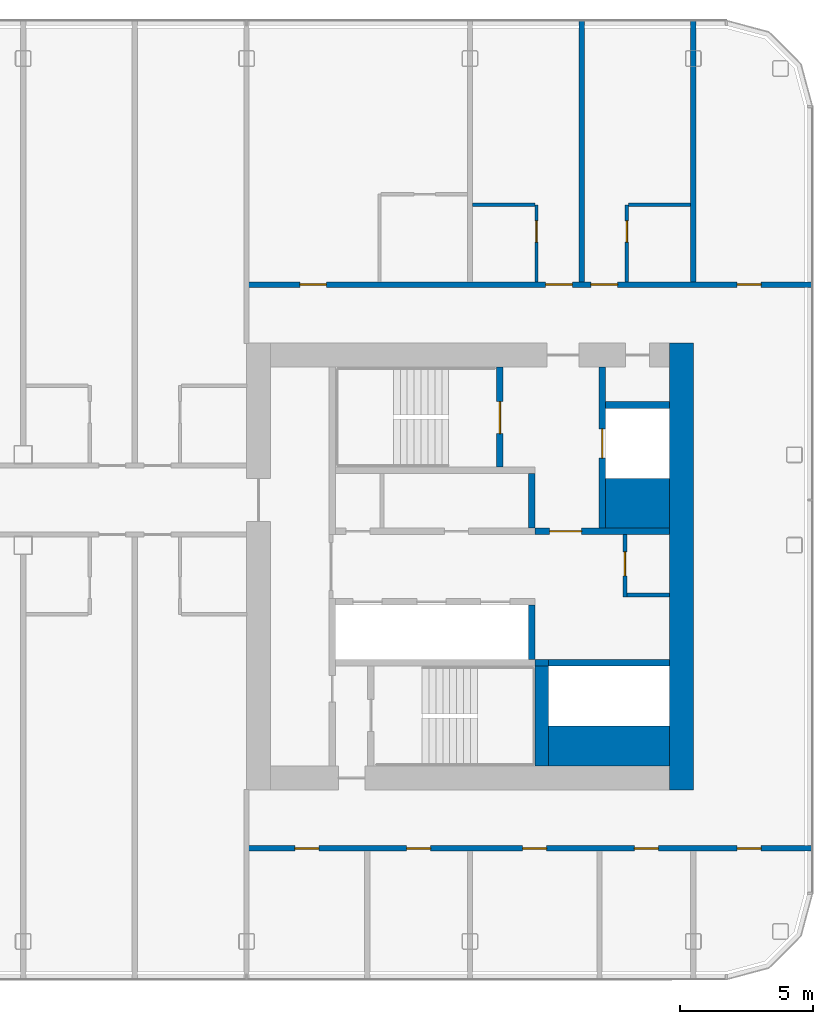
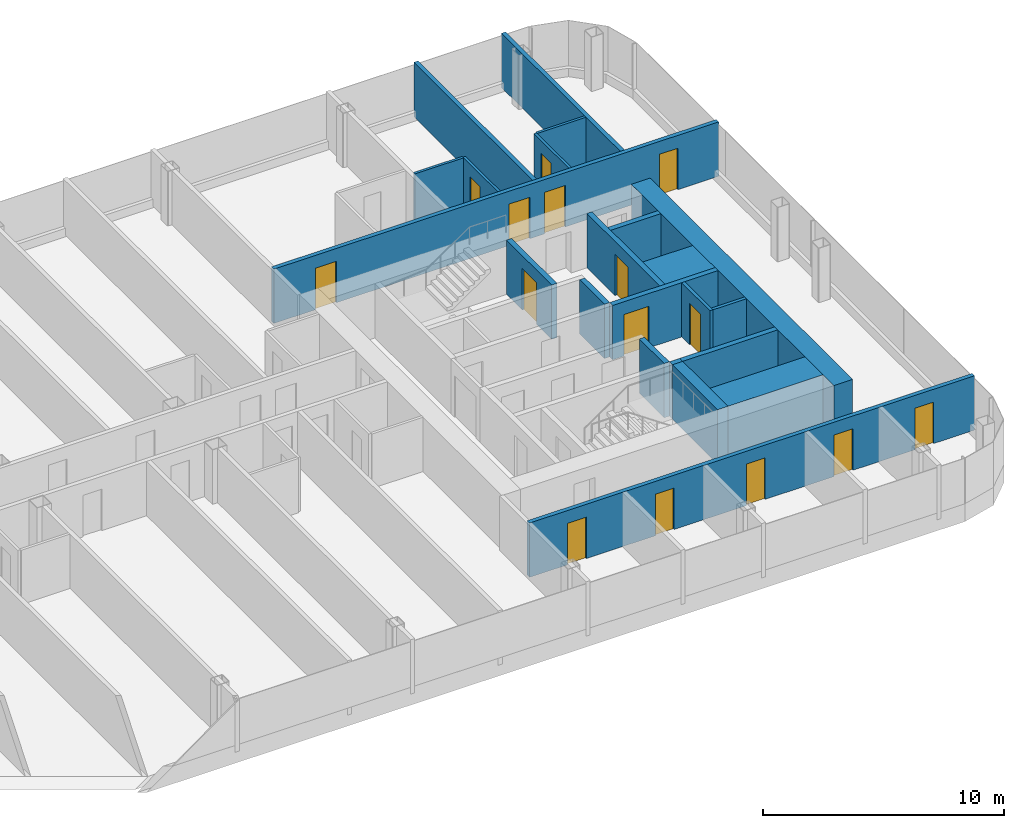
# One storey, part 17 of 26: 22 walls, 15 doors, 15 openings.
"""IFC4 building model written with IfcOpenShell, lengths in metres."""

from ifc_helpers import new_model, si_unit, direction, frame, frame_2d, origin, place, context, subcontext, project, spatial, rectangle, extrude, material, layer, layer_set, type_object, element, fill, save


model = new_model("IFC4")

# Units and contexts
model_context = context("Model", 3, precision=1e-05, world=origin(), true_north=direction((0.0, 1.0)))
body_context = subcontext(model_context, "Body", "Model", "MODEL_VIEW")
ifc_project = project(units=[si_unit("LENGTHUNIT", "METRE"), si_unit("AREAUNIT", "SQUARE_METRE"), si_unit("VOLUMEUNIT", "CUBIC_METRE"), si_unit("PLANEANGLEUNIT", "RADIAN"), si_unit("MASSUNIT", "GRAM", prefix="KILO")], contexts=[model_context])

# Site, building, storey
site_placement = place(None, origin())
site = spatial("IfcSite", under=ifc_project, at=site_placement, CompositionType="ELEMENT")
building_placement = place(site_placement, origin())
building = spatial("IfcBuilding", under=site, at=building_placement, Name="Hakoniwa Tower and Hamabe Station Hall", CompositionType="ELEMENT")
storey_placement = place(building_placement, frame((0.0, 0.0, 209.0)))
storey = spatial("IfcBuildingStorey", under=building, at=storey_placement, Name="L59", CompositionType="ELEMENT", Elevation=209.0)

# Walls
ifc_material_1 = material(Name="Gypsum board partition", Category="gypsum")
ifc_layer_1 = layer(ifc_material_1, 0.125)
ifc_layer_set_1 = layer_set([ifc_layer_1], Name="Bathroom Partition 125")
wall_type_1 = type_object("IfcWallType", Name="Bathroom Partition 125", PredefinedType="PARTITIONING", material=ifc_layer_set_1)
for number, where, z_axis, x_axis, name in (
    (1, (25.300048828125, 13.60009765625, 0.0), (0.0, 0.0, 1.0), (1.0, 0.0, 0.0), "GW-L59-017"),
    (2, (31.16259765625, 13.60009765625, 0.0), (0.0, 0.0, 1.0), (1.0, 0.0, 0.0), "GW-L59-018"),
):
    element("IfcWall", number, at=place(storey_placement, frame(where, z_axis=z_axis, x_axis=x_axis)), inside=storey, type_object=wall_type_1, Name=name, PredefinedType="PARTITIONING", context=body_context, shape_type="SweptSolid", body=[
        extrude(rectangle(XDim=2.33740234375, YDim=0.125, at=frame_2d((1.168701171875, 0.0))), origin(), (0.0, 0.0, 1.0), 2.75),
    ])

# Wall, opening, door
wall_1_placement = place(storey_placement, frame((27.699951171875, 10.699951171875, 0.0), z_axis=(0.0, 0.0, 1.0), x_axis=(0.0, 1.0, 0.0)))
wall_1 = element("IfcWall", 3, at=wall_1_placement, inside=storey, type_object=wall_type_1, Name="GW-L59-059", PredefinedType="PARTITIONING", context=body_context, shape_type="SweptSolid", body=[
    extrude(rectangle(XDim=2.900146484375, YDim=0.125, at=frame_2d((1.4501953125, 0.0))), origin(), (0.0, 0.0, 1.0), 2.75),
])
opening_1_placement = place(wall_1_placement, frame((1.5, 0.0, 0.0)))
opening_1 = element("IfcOpeningElement", 4, at=opening_1_placement, cuts=wall_1, Name="Opening GD-G4C1-44", PredefinedType="OPENING", context=body_context, shape_type="SweptSolid", body=[
    extrude(rectangle(XDim=0.800048828125, YDim=2.10009765625, at=frame_2d((0.39990234375, 1.050048828125))), frame((0.0, 0.072509765625, 0.0), z_axis=(0.0, -1.0, 0.0), x_axis=(1.0, 0.0, 0.0)), (0.0, 0.0, 1.0), 0.14501953125),
])
ifc_material_2 = material(Name="Timber door leaf", Category="wood")
door_type_1 = type_object("IfcDoorType", Name="Bathroom Door 800", OperationType="SINGLE_SWING_LEFT", PredefinedType="DOOR", material=ifc_material_2)
door_1_placement = place(opening_1_placement, origin())
door_1 = element("IfcDoor", 5, at=door_1_placement, inside=storey, type_object=door_type_1, Name="Door GD-G4C1-44", OperationType="SINGLE_SWING_LEFT", OverallHeight=2.10009765625, OverallWidth=0.800048828125, PredefinedType="DOOR", context=body_context, shape_type="SweptSolid", body=[
    extrude(rectangle(XDim=0.800048828125, YDim=2.10009765625, at=frame_2d((0.39990234375, 1.050048828125))), frame((0.0, 0.02490234375, 0.0), z_axis=(0.0, -1.0, 0.0), x_axis=(1.0, 0.0, 0.0)), (0.0, 0.0, 1.0), 0.050048828125),
])
fill(opening_1, door_1)

wall_2_placement = place(storey_placement, frame((31.10009765625, 10.699951171875, 0.0), z_axis=(0.0, 0.0, 1.0), x_axis=(0.0, 1.0, 0.0)))
wall_2 = element("IfcWall", 6, at=wall_2_placement, inside=storey, type_object=wall_type_1, Name="GW-L59-062", PredefinedType="PARTITIONING", context=body_context, shape_type="SweptSolid", body=[
    extrude(rectangle(XDim=2.900146484375, YDim=0.125, at=frame_2d((1.4501953125, 0.0))), origin(), (0.0, 0.0, 1.0), 2.75),
])
opening_2_placement = place(wall_2_placement, frame((1.5, 0.0, 0.0)))
opening_2 = element("IfcOpeningElement", 7, at=opening_2_placement, cuts=wall_2, Name="Opening GD-G4C1-45", PredefinedType="OPENING", context=body_context, shape_type="SweptSolid", body=[
    extrude(rectangle(XDim=0.800048828125, YDim=2.10009765625, at=frame_2d((0.39990234375, 1.050048828125))), frame((0.0, 0.072509765625, 0.0), z_axis=(0.0, -1.0, 0.0), x_axis=(1.0, 0.0, 0.0)), (0.0, 0.0, 1.0), 0.14501953125),
])
door_2_placement = place(opening_2_placement, origin())
door_2 = element("IfcDoor", 8, at=door_2_placement, inside=storey, type_object=door_type_1, Name="Door GD-G4C1-45", OperationType="SINGLE_SWING_RIGHT", OverallHeight=2.10009765625, OverallWidth=0.800048828125, PredefinedType="DOOR", context=body_context, shape_type="SweptSolid", body=[
    extrude(rectangle(XDim=0.800048828125, YDim=2.10009765625, at=frame_2d((0.39990234375, 1.050048828125))), frame((0.0, 0.02490234375, 0.0), z_axis=(0.0, -1.0, 0.0), x_axis=(1.0, 0.0, 0.0)), (0.0, 0.0, 1.0), 0.050048828125),
])
fill(opening_2, door_2)

ifc_material_3 = material(Name="Gypsum board partition")
ifc_layer_2 = layer(ifc_material_3, 0.14990234375)
ifc_layer_set_2 = layer_set([ifc_layer_2], Name="CORE PARTITION 150 EI 60")
wall_type_2 = type_object("IfcWallType", Name="CORE PARTITION 150 EI 60", PredefinedType="PARTITIONING", material=ifc_layer_set_2)
wall_3_placement = place(storey_placement, frame((31.02490234375, -1.14990234375, 0.0), z_axis=(0.0, 0.0, 1.0), x_axis=(0.0, 1.0, 0.0)))
wall_3 = element("IfcWall", 9, at=wall_3_placement, inside=storey, type_object=wall_type_2, Name="Core partition PW0 east", PredefinedType="PARTITIONING", context=body_context, shape_type="SweptSolid", body=[
    extrude(rectangle(XDim=2.349853515625, YDim=0.14990234375, at=frame_2d((1.1748046875, 0.0))), origin(), (0.0, 0.0, 1.0), 2.75),
])
opening_3_placement = place(wall_3_placement, frame((0.800048828125, 0.0, 0.0)))
opening_3 = element("IfcOpeningElement", 10, at=opening_3_placement, cuts=wall_3, Name="Opening CD-E-RM1-9", PredefinedType="OPENING", context=body_context, shape_type="SweptSolid", body=[
    extrude(rectangle(XDim=0.89990234375, YDim=2.10009765625, at=frame_2d((0.449951171875, 1.050048828125))), frame((0.0, 0.0849609375, 0.0), z_axis=(0.0, -1.0, 0.0), x_axis=(1.0, 0.0, 0.0)), (0.0, 0.0, 1.0), 0.169921875),
])
ifc_material_4 = material(Name="Steel fire door", Category="steel")
door_type_2 = type_object("IfcDoorType", Name="CORE DOOR 900 FD30", OperationType="NOTDEFINED", PredefinedType="DOOR", material=ifc_material_4)
door_3_placement = place(opening_3_placement, origin())
door_3 = element("IfcDoor", 11, at=door_3_placement, inside=storey, type_object=door_type_2, Name="Store room door", OperationType="SINGLE_SWING_RIGHT", OverallHeight=2.10009765625, OverallWidth=0.89990234375, PredefinedType="DOOR", context=body_context, shape_type="SweptSolid", body=[
    extrude(rectangle(XDim=0.89990234375, YDim=2.10009765625, at=frame_2d((0.449951171875, 1.050048828125))), frame((0.0, 0.02490234375, 0.0), z_axis=(0.0, -1.0, 0.0), x_axis=(1.0, 0.0, 0.0)), (0.0, 0.0, 1.0), 0.050048828125),
])
fill(opening_3, door_3)

# Walls
wall_4_placement = place(storey_placement, frame((31.10009765625, -1.074951171875, 0.0), z_axis=(0.0, 0.0, 1.0), x_axis=(1.0, 0.0, 0.0)))
element("IfcWall", 12, at=wall_4_placement, inside=storey, type_object=wall_type_2, Name="Core partition PS east", PredefinedType="PARTITIONING", context=body_context, shape_type="SweptSolid", body=[
    extrude(rectangle(XDim=1.599853515625, YDim=0.14990234375, at=frame_2d((0.7998046875, 0.0))), origin(), (0.0, 0.0, 1.0), 2.75),
])
ifc_material_5 = material(Name="Concrete C60", Category="concrete")
ifc_layer_3 = layer(ifc_material_5, 0.89990234375)
ifc_layer_set_3 = layer_set([ifc_layer_3], Name="CORE WALL 900 C60")
wall_type_3 = type_object("IfcWallType", Name="CORE WALL 900 C60", PredefinedType="SHEAR", material=ifc_layer_set_3)
wall_5_placement = place(storey_placement, frame((33.14990234375, -8.39990234375, 0.0), z_axis=(0.0, 0.0, 1.0), x_axis=(0.0, 1.0, 0.0)))
element("IfcWall", 13, at=wall_5_placement, inside=storey, type_object=wall_type_3, Name="Core wall OUTER east", PredefinedType="SHEAR", context=body_context, shape_type="SweptSolid", body=[
    extrude(rectangle(XDim=16.7998046875, YDim=0.89990234375, at=frame_2d((8.39990234375, 0.0))), origin(), (0.0, 0.0, 1.0), 2.75),
])
ifc_material_6 = material(Name="Concrete C60", Category="concrete")
ifc_layer_4 = layer(ifc_material_6, 1.5)
ifc_layer_set_4 = layer_set([ifc_layer_4], Name="CORE WEB WALL 1500 C60")
wall_type_4 = type_object("IfcWallType", Name="CORE WEB WALL 1500 C60", PredefinedType="SHEAR", material=ifc_layer_set_4)
wall_6_placement = place(storey_placement, frame((28.14990234375, -6.75, 0.0), z_axis=(0.0, 0.0, 1.0), x_axis=(1.0, 0.0, 0.0)))
element("IfcWall", 14, at=wall_6_placement, inside=storey, type_object=wall_type_4, Name="Core wall SER east", PredefinedType="SHEAR", context=body_context, shape_type="SweptSolid", body=[
    extrude(rectangle(XDim=4.550048828125, YDim=1.5, at=frame_2d((2.27490234375, 0.0))), origin(), (0.0, 0.0, 1.0), 2.75),
])
ifc_material_7 = material(Name="Concrete C60", Category="concrete")
ifc_layer_5 = layer(ifc_material_7, 1.85009765625)
ifc_layer_set_5 = layer_set([ifc_layer_5], Name="CORE WEB WALL 1850 C60")
wall_type_5 = type_object("IfcWallType", Name="CORE WEB WALL 1850 C60", PredefinedType="SHEAR", material=ifc_layer_set_5)
wall_7_placement = place(storey_placement, frame((30.300048828125, 2.375, 0.0), z_axis=(0.0, 0.0, 1.0), x_axis=(1.0, 0.0, 0.0)))
element("IfcWall", 15, at=wall_7_placement, inside=storey, type_object=wall_type_5, Name="Core wall CA east", PredefinedType="SHEAR", context=body_context, shape_type="SweptSolid", body=[
    extrude(rectangle(XDim=2.39990234375, YDim=1.85009765625, at=frame_2d((1.199951171875, 0.0))), origin(), (0.0, 0.0, 1.0), 2.75),
])
ifc_material_8 = material(Name="Concrete C60", Category="concrete")
ifc_layer_6 = layer(ifc_material_8, 0.25)
ifc_layer_set_6 = layer_set([ifc_layer_6], Name="CORE WEB WALL 250 C60")
wall_type_6 = type_object("IfcWallType", Name="CORE WEB WALL 250 C60", PredefinedType="SHEAR", material=ifc_layer_set_6)
wall_8_placement = place(storey_placement, frame((27.52490234375, 1.449951171875, 0.0), z_axis=(0.0, 0.0, 1.0), x_axis=(0.0, 1.0, 0.0)))
element("IfcWall", 16, at=wall_8_placement, inside=storey, type_object=wall_type_6, Name="Core wall NE east", PredefinedType="SHEAR", context=body_context, shape_type="SweptSolid", body=[
    extrude(rectangle(XDim=2.050048828125, YDim=0.25, at=frame_2d((1.02490234375, 0.0))), origin(), (0.0, 0.0, 1.0), 2.75),
])

# Wall, opening, door
wall_9_placement = place(storey_placement, frame((26.324951171875, 3.75, 0.0), z_axis=(0.0, 0.0, 1.0), x_axis=(0.0, 1.0, 0.0)))
wall_9 = element("IfcWall", 17, at=wall_9_placement, inside=storey, type_object=wall_type_6, Name="Core wall NSE east", PredefinedType="SHEAR", context=body_context, shape_type="SweptSolid", body=[
    extrude(rectangle(XDim=3.75, YDim=0.25, at=frame_2d((1.875, 0.0))), origin(), (0.0, 0.0, 1.0), 2.75),
])
opening_4_placement = place(wall_9_placement, frame((1.25, 0.0, 0.0)))
opening_4 = element("IfcOpeningElement", 18, at=opening_4_placement, cuts=wall_9, Name="Opening CD-E-SN-12", PredefinedType="OPENING", context=body_context, shape_type="SweptSolid", body=[
    extrude(rectangle(XDim=1.199951171875, YDim=2.10009765625, at=frame_2d((0.60009765625, 1.050048828125))), frame((0.0, 0.135009765625, 0.0), z_axis=(0.0, -1.0, 0.0), x_axis=(1.0, 0.0, 0.0)), (0.0, 0.0, 1.0), 0.27001953125),
])
ifc_material_9 = material(Name="Steel fire door", Category="steel")
door_type_3 = type_object("IfcDoorType", Name="CORE DOOR 1200 FD60", OperationType="DOUBLE_DOOR_SINGLE_SWING", PredefinedType="DOOR", material=ifc_material_9)
door_4_placement = place(opening_4_placement, origin())
door_4 = element("IfcDoor", 19, at=door_4_placement, inside=storey, type_object=door_type_3, Name="Escape stair door", OperationType="DOUBLE_DOOR_SINGLE_SWING", OverallHeight=2.10009765625, OverallWidth=1.199951171875, PredefinedType="DOOR", context=body_context, shape_type="SweptSolid", body=[
    extrude(rectangle(XDim=1.199951171875, YDim=2.10009765625, at=frame_2d((0.60009765625, 1.050048828125))), frame((0.0, 0.02490234375, 0.0), z_axis=(0.0, -1.0, 0.0), x_axis=(1.0, 0.0, 0.0)), (0.0, 0.0, 1.0), 0.050048828125),
])
fill(opening_4, door_4)

wall_10_placement = place(storey_placement, frame((27.64990234375, 1.324951171875, 0.0), z_axis=(0.0, 0.0, 1.0), x_axis=(1.0, 0.0, 0.0)))
wall_10 = element("IfcWall", 20, at=wall_10_placement, inside=storey, type_object=wall_type_6, Name="Core wall ELN east", PredefinedType="SHEAR", context=body_context, shape_type="SweptSolid", body=[
    extrude(rectangle(XDim=5.050048828125, YDim=0.25, at=frame_2d((2.52490234375, 0.0))), origin(), (0.0, 0.0, 1.0), 2.75),
])
opening_5_placement = place(wall_10_placement, frame((0.550048828125, 0.0, 0.0)))
opening_5 = element("IfcOpeningElement", 21, at=opening_5_placement, cuts=wall_10, Name="Opening CD-E-FL-12", PredefinedType="OPENING", context=body_context, shape_type="SweptSolid", body=[
    extrude(rectangle(XDim=1.199951171875, YDim=2.10009765625, at=frame_2d((0.60009765625, 1.050048828125))), frame((0.0, 0.135009765625, 0.0), z_axis=(0.0, -1.0, 0.0), x_axis=(1.0, 0.0, 0.0)), (0.0, 0.0, 1.0), 0.27001953125),
])
door_5_placement = place(opening_5_placement, origin())
door_5 = element("IfcDoor", 22, at=door_5_placement, inside=storey, type_object=door_type_3, Name="Stair vestibule door to the fire-fighting lobby", OperationType="DOUBLE_DOOR_SINGLE_SWING", OverallHeight=2.10009765625, OverallWidth=1.199951171875, PredefinedType="DOOR", context=body_context, shape_type="SweptSolid", body=[
    extrude(rectangle(XDim=1.199951171875, YDim=2.10009765625, at=frame_2d((0.60009765625, 1.050048828125))), frame((0.0, 0.02490234375, 0.0), z_axis=(0.0, -1.0, 0.0), x_axis=(1.0, 0.0, 0.0)), (0.0, 0.0, 1.0), 0.050048828125),
])
fill(opening_5, door_5)

wall_11_placement = place(storey_placement, frame((30.175048828125, 1.449951171875, 0.0), z_axis=(0.0, 0.0, 1.0), x_axis=(0.0, 1.0, 0.0)))
wall_11 = element("IfcWall", 23, at=wall_11_placement, inside=storey, type_object=wall_type_6, Name="Core wall FFF east", PredefinedType="SHEAR", context=body_context, shape_type="SweptSolid", body=[
    extrude(rectangle(XDim=6.050048828125, YDim=0.25, at=frame_2d((3.02490234375, 0.0))), origin(), (0.0, 0.0, 1.0), 2.75),
])
opening_6_placement = place(wall_11_placement, frame((2.625, 0.0, 0.0)))
opening_6 = element("IfcOpeningElement", 24, at=opening_6_placement, cuts=wall_11, Name="Opening LD-FF2", PredefinedType="OPENING", context=body_context, shape_type="SweptSolid", body=[
    extrude(rectangle(XDim=1.10009765625, YDim=2.10009765625, at=frame_2d((0.550048828125, 1.050048828125))), frame((0.0, 0.135009765625, 0.0), z_axis=(0.0, -1.0, 0.0), x_axis=(1.0, 0.0, 0.0)), (0.0, 0.0, 1.0), 0.27001953125),
])
ifc_material_10 = material(Name="Stainless steel SUS304", Category="steel")
door_type_4 = type_object("IfcDoorType", Name="LIFT LANDING DOOR 1100 FD60", OperationType="DOUBLE_DOOR_SLIDING", PredefinedType="DOOR", material=ifc_material_10)
door_6_placement = place(opening_6_placement, origin())
door_6 = element("IfcDoor", 25, at=door_6_placement, inside=storey, type_object=door_type_4, Name="Lift landing door FF2 L59", OperationType="DOUBLE_DOOR_SLIDING", OverallHeight=2.10009765625, OverallWidth=1.10009765625, PredefinedType="DOOR", context=body_context, shape_type="SweptSolid", body=[
    extrude(rectangle(XDim=1.10009765625, YDim=2.10009765625, at=frame_2d((0.550048828125, 1.050048828125))), frame((0.0, 0.02490234375, 0.0), z_axis=(0.0, -1.0, 0.0), x_axis=(1.0, 0.0, 0.0)), (0.0, 0.0, 1.0), 0.050048828125),
])
fill(opening_6, door_6)

# Walls
wall_12_placement = place(storey_placement, frame((30.300048828125, 6.074951171875, 0.0), z_axis=(0.0, 0.0, 1.0), x_axis=(1.0, 0.0, 0.0)))
element("IfcWall", 26, at=wall_12_placement, inside=storey, type_object=wall_type_6, Name="Core wall C2 east", PredefinedType="SHEAR", context=body_context, shape_type="SweptSolid", body=[
    extrude(rectangle(XDim=2.39990234375, YDim=0.25, at=frame_2d((1.199951171875, 0.0))), origin(), (0.0, 0.0, 1.0), 2.75),
])
wall_13_placement = place(storey_placement, frame((27.52490234375, -3.5, 0.0), z_axis=(0.0, 0.0, 1.0), x_axis=(0.0, 1.0, 0.0)))
element("IfcWall", 27, at=wall_13_placement, inside=storey, type_object=wall_type_6, Name="Core wall SE east", PredefinedType="SHEAR", context=body_context, shape_type="SweptSolid", body=[
    extrude(rectangle(XDim=2.050048828125, YDim=0.25, at=frame_2d((1.02490234375, 0.0))), origin(), (0.0, 0.0, 1.0), 2.75),
])
wall_14_placement = place(storey_placement, frame((28.14990234375, -3.625, 0.0), z_axis=(0.0, 0.0, 1.0), x_axis=(1.0, 0.0, 0.0)))
element("IfcWall", 28, at=wall_14_placement, inside=storey, type_object=wall_type_6, Name="Core wall SEF east", PredefinedType="SHEAR", context=body_context, shape_type="SweptSolid", body=[
    extrude(rectangle(XDim=4.550048828125, YDim=0.25, at=frame_2d((2.27490234375, 0.0))), origin(), (0.0, 0.0, 1.0), 2.75),
])
wall_15_placement = place(storey_placement, frame((27.64990234375, -3.625, 0.0), z_axis=(0.0, 0.0, 1.0), x_axis=(1.0, 0.0, 0.0)))
element("IfcWall", 29, at=wall_15_placement, inside=storey, type_object=wall_type_6, Name="Core wall SRK east", PredefinedType="SHEAR", context=body_context, shape_type="SweptSolid", body=[
    extrude(rectangle(XDim=0.5, YDim=0.25, at=frame_2d((0.25, 0.0))), origin(), (0.0, 0.0, 1.0), 2.75),
])
ifc_material_11 = material(Name="Concrete C60", Category="concrete")
ifc_layer_7 = layer(ifc_material_11, 0.5)
ifc_layer_set_7 = layer_set([ifc_layer_7], Name="CORE WEB WALL 500 C60")
wall_type_7 = type_object("IfcWallType", Name="CORE WEB WALL 500 C60", PredefinedType="SHEAR", material=ifc_layer_set_7)
wall_16_placement = place(storey_placement, frame((27.89990234375, -7.5, 0.0), z_axis=(0.0, 0.0, 1.0), x_axis=(0.0, 1.0, 0.0)))
element("IfcWall", 30, at=wall_16_placement, inside=storey, type_object=wall_type_7, Name="Core wall SSE east", PredefinedType="SHEAR", context=body_context, shape_type="SweptSolid", body=[
    extrude(rectangle(XDim=3.75, YDim=0.5, at=frame_2d((1.875, 0.0))), origin(), (0.0, 0.0, 1.0), 2.75),
])

# Wall, openings, doors
ifc_material_12 = material(Name="Fire-rated gypsum board partition", Category="gypsum")
ifc_layer_8 = layer(ifc_material_12, 0.199951171875)
ifc_layer_set_8 = layer_set([ifc_layer_8], Name="Corridor Wall 200")
wall_type_8 = type_object("IfcWallType", Name="Corridor Wall 200", PredefinedType="PARTITIONING", material=ifc_layer_set_8)
wall_17_placement = place(storey_placement, frame((16.800048828125, -10.60009765625, 0.0), z_axis=(0.0, 0.0, 1.0), x_axis=(1.0, 0.0, 0.0)))
wall_17 = element("IfcWall", 31, at=wall_17_placement, inside=storey, type_object=wall_type_8, Name="GW-L59-002", PredefinedType="PARTITIONING", context=body_context, shape_type="SweptSolid", body=[
    extrude(rectangle(XDim=21.300048828125, YDim=0.199951171875, at=frame_2d((10.64990234375, 0.0))), origin(), (0.0, 0.0, 1.0), 2.75),
])
opening_7_placement = place(wall_17_placement, frame((1.820068359375, 0.0, 0.0)))
opening_7 = element("IfcOpeningElement", 32, at=opening_7_placement, cuts=wall_17, Name="Opening GD-G4C1-05", PredefinedType="OPENING", context=body_context, shape_type="SweptSolid", body=[
    extrude(rectangle(XDim=0.89990234375, YDim=2.10009765625, at=frame_2d((0.449951171875, 1.050048828125))), frame((0.0, 0.10986328125, 0.0), z_axis=(0.0, -1.0, 0.0), x_axis=(1.0, 0.0, 0.0)), (0.0, 0.0, 1.0), 0.219970703125),
])
opening_8_placement = place(wall_17_placement, frame((6.02001953125, 0.0, 0.0)))
opening_8 = element("IfcOpeningElement", 33, at=opening_8_placement, cuts=wall_17, Name="Opening GD-G4C1-06", PredefinedType="OPENING", context=body_context, shape_type="SweptSolid", body=[
    extrude(rectangle(XDim=0.89990234375, YDim=2.10009765625, at=frame_2d((0.449951171875, 1.050048828125))), frame((0.0, 0.10986328125, 0.0), z_axis=(0.0, -1.0, 0.0), x_axis=(1.0, 0.0, 0.0)), (0.0, 0.0, 1.0), 0.219970703125),
])
opening_9_placement = place(wall_17_placement, frame((10.385009765625, 0.0, 0.0)))
opening_9 = element("IfcOpeningElement", 34, at=opening_9_placement, cuts=wall_17, Name="Opening GD-G4C1-07", PredefinedType="OPENING", context=body_context, shape_type="SweptSolid", body=[
    extrude(rectangle(XDim=0.89990234375, YDim=2.10009765625, at=frame_2d((0.449951171875, 1.050048828125))), frame((0.0, 0.10986328125, 0.0), z_axis=(0.0, -1.0, 0.0), x_axis=(1.0, 0.0, 0.0)), (0.0, 0.0, 1.0), 0.219970703125),
])
opening_10_placement = place(wall_17_placement, frame((14.5849609375, 0.0, 0.0)))
opening_10 = element("IfcOpeningElement", 35, at=opening_10_placement, cuts=wall_17, Name="Opening GD-G4C1-08", PredefinedType="OPENING", context=body_context, shape_type="SweptSolid", body=[
    extrude(rectangle(XDim=0.89990234375, YDim=2.10009765625, at=frame_2d((0.449951171875, 1.050048828125))), frame((0.0, 0.10986328125, 0.0), z_axis=(0.0, -1.0, 0.0), x_axis=(1.0, 0.0, 0.0)), (0.0, 0.0, 1.0), 0.219970703125),
])
opening_11_placement = place(wall_17_placement, frame((18.449951171875, 0.0, 0.0)))
opening_11 = element("IfcOpeningElement", 36, at=opening_11_placement, cuts=wall_17, Name="Opening GD-G4C1-09", PredefinedType="OPENING", context=body_context, shape_type="SweptSolid", body=[
    extrude(rectangle(XDim=0.89990234375, YDim=2.10009765625, at=frame_2d((0.449951171875, 1.050048828125))), frame((0.0, 0.10986328125, 0.0), z_axis=(0.0, -1.0, 0.0), x_axis=(1.0, 0.0, 0.0)), (0.0, 0.0, 1.0), 0.219970703125),
])
ifc_material_13 = material(Name="Timber door leaf", Category="wood")
door_type_5 = type_object("IfcDoorType", Name="Service Door 900", OperationType="SINGLE_SWING_LEFT", PredefinedType="DOOR", material=ifc_material_13)
door_7_placement = place(opening_7_placement, origin())
door_7 = element("IfcDoor", 37, at=door_7_placement, inside=storey, type_object=door_type_5, Name="Door GD-G4C1-05", OperationType="SINGLE_SWING_LEFT", OverallHeight=2.10009765625, OverallWidth=0.89990234375, PredefinedType="DOOR", context=body_context, shape_type="SweptSolid", body=[
    extrude(rectangle(XDim=0.89990234375, YDim=2.10009765625, at=frame_2d((0.449951171875, 1.050048828125))), frame((0.0, 0.02490234375, 0.0), z_axis=(0.0, -1.0, 0.0), x_axis=(1.0, 0.0, 0.0)), (0.0, 0.0, 1.0), 0.050048828125),
])
fill(opening_7, door_7)
door_8_placement = place(opening_8_placement, origin())
door_8 = element("IfcDoor", 38, at=door_8_placement, inside=storey, type_object=door_type_5, Name="Door GD-G4C1-06", OperationType="SINGLE_SWING_RIGHT", OverallHeight=2.10009765625, OverallWidth=0.89990234375, PredefinedType="DOOR", context=body_context, shape_type="SweptSolid", body=[
    extrude(rectangle(XDim=0.89990234375, YDim=2.10009765625, at=frame_2d((0.449951171875, 1.050048828125))), frame((0.0, 0.02490234375, 0.0), z_axis=(0.0, -1.0, 0.0), x_axis=(1.0, 0.0, 0.0)), (0.0, 0.0, 1.0), 0.050048828125),
])
fill(opening_8, door_8)
door_9_placement = place(opening_9_placement, origin())
door_9 = element("IfcDoor", 39, at=door_9_placement, inside=storey, type_object=door_type_5, Name="Door GD-G4C1-07", OperationType="SINGLE_SWING_LEFT", OverallHeight=2.10009765625, OverallWidth=0.89990234375, PredefinedType="DOOR", context=body_context, shape_type="SweptSolid", body=[
    extrude(rectangle(XDim=0.89990234375, YDim=2.10009765625, at=frame_2d((0.449951171875, 1.050048828125))), frame((0.0, 0.02490234375, 0.0), z_axis=(0.0, -1.0, 0.0), x_axis=(1.0, 0.0, 0.0)), (0.0, 0.0, 1.0), 0.050048828125),
])
fill(opening_9, door_9)
door_10_placement = place(opening_10_placement, origin())
door_10 = element("IfcDoor", 40, at=door_10_placement, inside=storey, type_object=door_type_5, Name="Door GD-G4C1-08", OperationType="SINGLE_SWING_RIGHT", OverallHeight=2.10009765625, OverallWidth=0.89990234375, PredefinedType="DOOR", context=body_context, shape_type="SweptSolid", body=[
    extrude(rectangle(XDim=0.89990234375, YDim=2.10009765625, at=frame_2d((0.449951171875, 1.050048828125))), frame((0.0, 0.02490234375, 0.0), z_axis=(0.0, -1.0, 0.0), x_axis=(1.0, 0.0, 0.0)), (0.0, 0.0, 1.0), 0.050048828125),
])
fill(opening_10, door_10)
door_11_placement = place(opening_11_placement, origin())
door_11 = element("IfcDoor", 41, at=door_11_placement, inside=storey, type_object=door_type_5, Name="Door GD-G4C1-09", OperationType="SINGLE_SWING_LEFT", OverallHeight=2.10009765625, OverallWidth=0.89990234375, PredefinedType="DOOR", context=body_context, shape_type="SweptSolid", body=[
    extrude(rectangle(XDim=0.89990234375, YDim=2.10009765625, at=frame_2d((0.449951171875, 1.050048828125))), frame((0.0, 0.02490234375, 0.0), z_axis=(0.0, -1.0, 0.0), x_axis=(1.0, 0.0, 0.0)), (0.0, 0.0, 1.0), 0.050048828125),
])
fill(opening_11, door_11)

wall_18_placement = place(storey_placement, frame((16.800048828125, 10.60009765625, 0.0), z_axis=(0.0, 0.0, 1.0), x_axis=(1.0, 0.0, 0.0)))
wall_18 = element("IfcWall", 42, at=wall_18_placement, inside=storey, type_object=wall_type_8, Name="GW-L59-016", PredefinedType="PARTITIONING", context=body_context, shape_type="SweptSolid", body=[
    extrude(rectangle(XDim=21.300048828125, YDim=0.199951171875, at=frame_2d((10.64990234375, 0.0))), origin(), (0.0, 0.0, 1.0), 2.75),
])
opening_12_placement = place(wall_18_placement, frame((2.0, 0.0, 0.0)))
opening_12 = element("IfcOpeningElement", 43, at=opening_12_placement, cuts=wall_18, Name="Opening GD-G4C1-28", PredefinedType="OPENING", context=body_context, shape_type="SweptSolid", body=[
    extrude(rectangle(XDim=1.0, YDim=2.10009765625, at=frame_2d((0.5, 1.050048828125))), frame((0.0, 0.10986328125, 0.0), z_axis=(0.0, -1.0, 0.0), x_axis=(1.0, 0.0, 0.0)), (0.0, 0.0, 1.0), 0.219970703125),
])
opening_13_placement = place(wall_18_placement, frame((11.25, 0.0, 0.0)))
opening_13 = element("IfcOpeningElement", 44, at=opening_13_placement, cuts=wall_18, Name="Opening GD-G4C1-29", PredefinedType="OPENING", context=body_context, shape_type="SweptSolid", body=[
    extrude(rectangle(XDim=1.0, YDim=2.10009765625, at=frame_2d((0.5, 1.050048828125))), frame((0.0, 0.10986328125, 0.0), z_axis=(0.0, -1.0, 0.0), x_axis=(1.0, 0.0, 0.0)), (0.0, 0.0, 1.0), 0.219970703125),
])
opening_14_placement = place(wall_18_placement, frame((12.949951171875, 0.0, 0.0)))
opening_14 = element("IfcOpeningElement", 45, at=opening_14_placement, cuts=wall_18, Name="Opening GD-G4C1-30", PredefinedType="OPENING", context=body_context, shape_type="SweptSolid", body=[
    extrude(rectangle(XDim=1.0, YDim=2.10009765625, at=frame_2d((0.5, 1.050048828125))), frame((0.0, 0.10986328125, 0.0), z_axis=(0.0, -1.0, 0.0), x_axis=(1.0, 0.0, 0.0)), (0.0, 0.0, 1.0), 0.219970703125),
])
opening_15_placement = place(wall_18_placement, frame((18.449951171875, 0.0, 0.0)))
opening_15 = element("IfcOpeningElement", 46, at=opening_15_placement, cuts=wall_18, Name="Opening GD-G4C1-31", PredefinedType="OPENING", context=body_context, shape_type="SweptSolid", body=[
    extrude(rectangle(XDim=0.89990234375, YDim=2.10009765625, at=frame_2d((0.449951171875, 1.050048828125))), frame((0.0, 0.10986328125, 0.0), z_axis=(0.0, -1.0, 0.0), x_axis=(1.0, 0.0, 0.0)), (0.0, 0.0, 1.0), 0.219970703125),
])
ifc_material_14 = material(Name="Timber door leaf", Category="wood")
door_type_6 = type_object("IfcDoorType", Name="Guest Entrance Door 1000", OperationType="SINGLE_SWING_LEFT", PredefinedType="DOOR", material=ifc_material_14)
door_12_placement = place(opening_12_placement, origin())
door_12 = element("IfcDoor", 47, at=door_12_placement, inside=storey, type_object=door_type_6, Name="Door GD-G4C1-28", OperationType="SINGLE_SWING_LEFT", OverallHeight=2.10009765625, OverallWidth=1.0, PredefinedType="DOOR", context=body_context, shape_type="SweptSolid", body=[
    extrude(rectangle(XDim=1.0, YDim=2.10009765625, at=frame_2d((0.5, 1.050048828125))), frame((0.0, 0.02490234375, 0.0), z_axis=(0.0, -1.0, 0.0), x_axis=(1.0, 0.0, 0.0)), (0.0, 0.0, 1.0), 0.050048828125),
])
fill(opening_12, door_12)
door_13_placement = place(opening_13_placement, origin())
door_13 = element("IfcDoor", 48, at=door_13_placement, inside=storey, type_object=door_type_6, Name="Door GD-G4C1-29", OperationType="SINGLE_SWING_RIGHT", OverallHeight=2.10009765625, OverallWidth=1.0, PredefinedType="DOOR", context=body_context, shape_type="SweptSolid", body=[
    extrude(rectangle(XDim=1.0, YDim=2.10009765625, at=frame_2d((0.5, 1.050048828125))), frame((0.0, 0.02490234375, 0.0), z_axis=(0.0, -1.0, 0.0), x_axis=(1.0, 0.0, 0.0)), (0.0, 0.0, 1.0), 0.050048828125),
])
fill(opening_13, door_13)
door_14_placement = place(opening_14_placement, origin())
door_14 = element("IfcDoor", 49, at=door_14_placement, inside=storey, type_object=door_type_6, Name="Door GD-G4C1-30", OperationType="SINGLE_SWING_RIGHT", OverallHeight=2.10009765625, OverallWidth=1.0, PredefinedType="DOOR", context=body_context, shape_type="SweptSolid", body=[
    extrude(rectangle(XDim=1.0, YDim=2.10009765625, at=frame_2d((0.5, 1.050048828125))), frame((0.0, 0.02490234375, 0.0), z_axis=(0.0, -1.0, 0.0), x_axis=(1.0, 0.0, 0.0)), (0.0, 0.0, 1.0), 0.050048828125),
])
fill(opening_14, door_14)
door_15_placement = place(opening_15_placement, origin())
door_15 = element("IfcDoor", 50, at=door_15_placement, inside=storey, type_object=door_type_5, Name="Door GD-G4C1-31", OperationType="SINGLE_SWING_RIGHT", OverallHeight=2.10009765625, OverallWidth=0.89990234375, PredefinedType="DOOR", context=body_context, shape_type="SweptSolid", body=[
    extrude(rectangle(XDim=0.89990234375, YDim=2.10009765625, at=frame_2d((0.449951171875, 1.050048828125))), frame((0.0, 0.02490234375, 0.0), z_axis=(0.0, -1.0, 0.0), x_axis=(1.0, 0.0, 0.0)), (0.0, 0.0, 1.0), 0.050048828125),
])
fill(opening_15, door_15)

# Walls
ifc_material_15 = material(Name="Fire-rated gypsum board partition", Category="gypsum")
ifc_layer_9 = layer(ifc_material_15, 0.199951171875)
ifc_layer_set_9 = layer_set([ifc_layer_9], Name="Party Wall 200")
wall_type_9 = type_object("IfcWallType", Name="Party Wall 200", PredefinedType="PARTITIONING", material=ifc_layer_set_9)
for number, where, z_axis, x_axis, name in (
    (51, (29.39990234375, 10.699951171875, 0.0), (0.0, 0.0, 1.0), (0.0, 1.0, 0.0), "GW-L59-060"),
    (52, (33.60009765625, 10.699951171875, 0.0), (0.0, 0.0, 1.0), (0.0, 1.0, 0.0), "GW-L59-064"),
):
    element("IfcWall", number, at=place(storey_placement, frame(where, z_axis=z_axis, x_axis=x_axis)), inside=storey, type_object=wall_type_9, Name=name, PredefinedType="PARTITIONING", context=body_context, shape_type="SweptSolid", body=[
        extrude(rectangle(XDim=9.85009765625, YDim=0.199951171875, at=frame_2d((4.925048828125, 0.0))), origin(), (0.0, 0.0, 1.0), 2.75),
    ])

save(model, "model.ifc")
